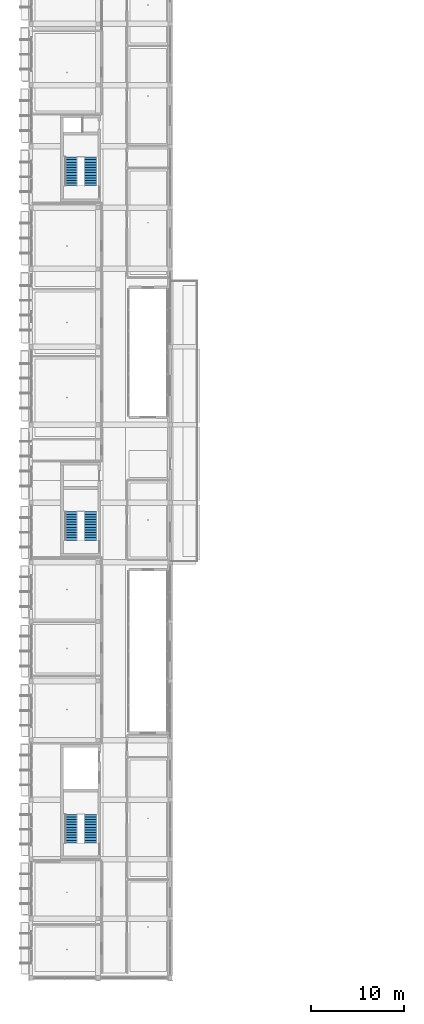
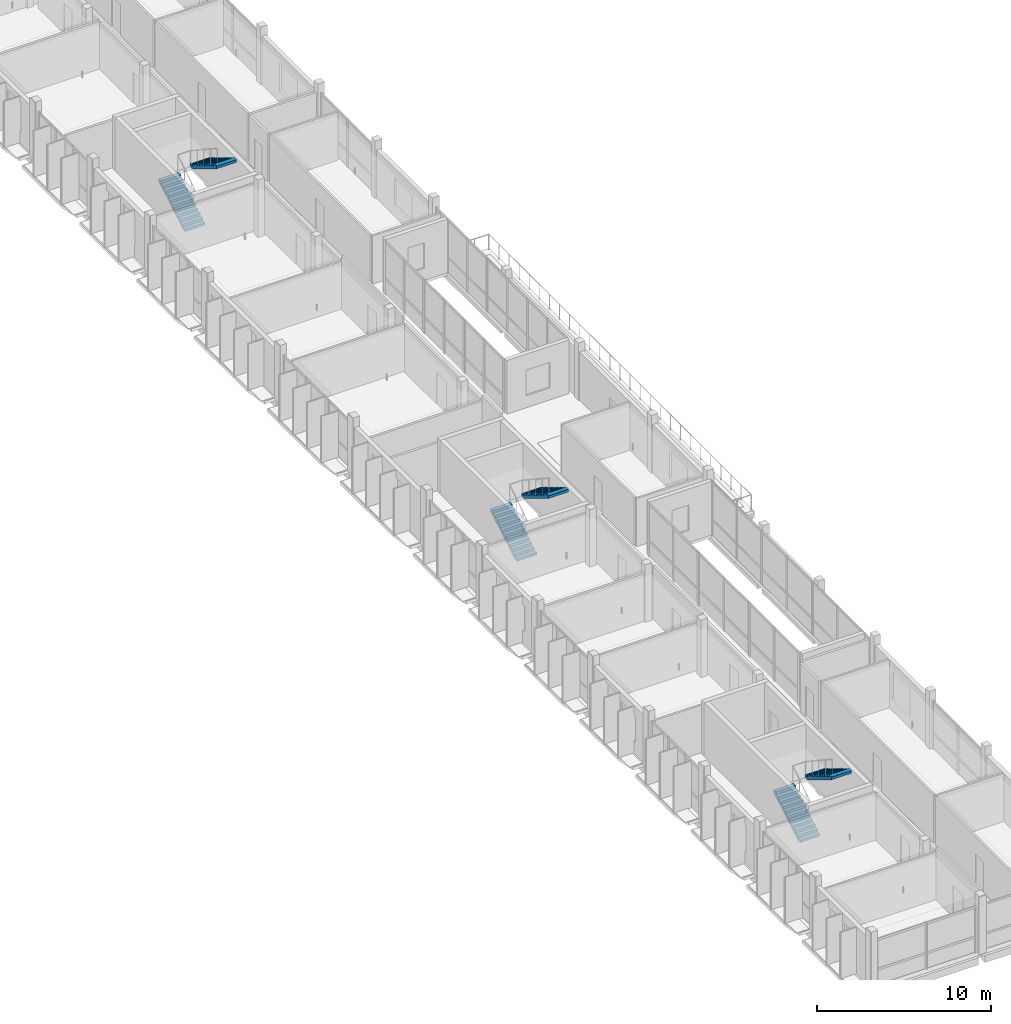
# One storey, part 29 of 48: 6 stair flights, 3 elements without a shape of their own.
"""IFC4 building model written with IfcOpenShell, lengths in metres."""

from ifc_helpers import new_model, si_unit, derived_unit, direction, frame, origin, place, context, subcontext, project, spatial, polyline, outline, extrude, material, type_object, element, aggregate, save


model = new_model("IFC4")

# Units and contexts
model_context = context("Model", 3, precision=1e-05, world=origin(), true_north=direction((0.0, 1.0)))
body_context = subcontext(model_context, "Body", "Model", "MODEL_VIEW")
ifc_project = project(units=[si_unit("LENGTHUNIT", "METRE"), si_unit("AREAUNIT", "SQUARE_METRE"), si_unit("VOLUMEUNIT", "CUBIC_METRE"), si_unit("PLANEANGLEUNIT", "RADIAN"), si_unit("MASSUNIT", "GRAM", prefix="KILO"), derived_unit("THERMALTRANSMITTANCEUNIT", [(si_unit("POWERUNIT", "WATT"), 1), (si_unit("LENGTHUNIT", "METRE"), -2), (si_unit("THERMODYNAMICTEMPERATUREUNIT", "KELVIN"), -1)])], contexts=[model_context])

# Site, building, storey
site_placement = place(None, origin())
site = spatial("IfcSite", under=ifc_project, at=site_placement, CompositionType="ELEMENT")
building_placement = place(site_placement, origin())
building = spatial("IfcBuilding", under=site, at=building_placement, Name="Braskholm Square Health Centre", CompositionType="ELEMENT")
storey_placement = place(building_placement, frame((0.0, 0.0, 17.550048828125)))
storey = spatial("IfcBuildingStorey", under=building, at=storey_placement, Name="L05", CompositionType="ELEMENT", Elevation=17.550048828125)

# Stair, stair flights
ifc_material = material(Name="Concrete C35/45 (f'c = 35 MPa)", Category="concrete")
stair_type = type_object("IfcStairType", Name="ExitReturnStairL04", PredefinedType="HALF_TURN_STAIR", material=ifc_material)
stair_1_placement = place(storey_placement, origin())
stair_1 = element("IfcStair", 1, at=stair_1_placement, inside=storey, type_object=stair_type, Name="Enclosed exit stair ST-01 L05 to L06", PredefinedType="HALF_TURN_STAIR")
stair_flight_type = type_object("IfcStairFlightType", Name="ExitStairFlightL04", PredefinedType="STRAIGHT", material=ifc_material)
stair_flight_1_placement = place(storey_placement, frame((8.510009765625, 18.760009765625, 0.0), z_axis=(0.0, 0.0, 1.0), x_axis=(0.0, 1.0, 0.0)))
stair_flight_1 = element("IfcStairFlight", 2, at=stair_flight_1_placement, type_object=stair_flight_type, Name="Stair ST-01 lower flight L05", NumberOfRisers=12, NumberOfTreads=11, PredefinedType="STRAIGHT", RiserHeight=0.16875, TreadLength=0.28, context=body_context, shape_type="SweptSolid", body=[
    extrude(outline(polyline([(0.0, 0.0), (0.0, 0.168701171875), (0.280029296875, 0.168701171875), (0.280029296875, 0.33740234375), (0.56005859375, 0.33740234375), (0.56005859375, 0.50634765625), (0.840087890625, 0.50634765625), (0.840087890625, 0.675048828125), (1.1201171875, 0.675048828125), (1.1201171875, 0.84375), (1.39990234375, 0.84375), (1.39990234375, 1.012451171875), (1.679931640625, 1.012451171875), (1.679931640625, 1.18115234375), (1.9599609375, 1.18115234375), (1.9599609375, 1.35009765625), (2.239990234375, 1.35009765625), (2.239990234375, 1.518798828125), (2.52001953125, 1.518798828125), (2.52001953125, 1.6875), (2.800048828125, 1.6875), (2.800048828125, 1.856201171875), (3.080078125, 1.856201171875), (3.080078125, 2.02490234375), (3.080078125, 1.66943359375), (0.309814453125, 0.0), (0.0, 0.0)])), frame((0.0, 0.66015625, 0.0), z_axis=(0.0, -1.0, 0.0), x_axis=(1.0, 0.0, 0.0)), (0.0, 0.0, 1.0), 1.320068359375),
])
stair_flight_2_placement = place(storey_placement, frame((10.590087890625, 21.840087890625, 2.02490234375), z_axis=(0.0, 0.0, 1.0), x_axis=(0.0, -1.0, 0.0)))
stair_flight_2 = element("IfcStairFlight", 3, at=stair_flight_2_placement, type_object=stair_flight_type, Name="Stair ST-01 upper flight L05", NumberOfRisers=12, NumberOfTreads=11, PredefinedType="STRAIGHT", RiserHeight=0.16875, TreadLength=0.28, context=body_context, shape_type="SweptSolid", body=[
    extrude(outline(polyline([(0.0, 0.0), (0.0, 0.168701171875), (0.280029296875, 0.168701171875), (0.280029296875, 0.33740234375), (0.56005859375, 0.33740234375), (0.56005859375, 0.50634765625), (0.840087890625, 0.50634765625), (0.840087890625, 0.675048828125), (1.1201171875, 0.675048828125), (1.1201171875, 0.84375), (1.39990234375, 0.84375), (1.39990234375, 1.012451171875), (1.679931640625, 1.012451171875), (1.679931640625, 1.18115234375), (1.9599609375, 1.18115234375), (1.9599609375, 1.35009765625), (2.239990234375, 1.35009765625), (2.239990234375, 1.518798828125), (2.52001953125, 1.518798828125), (2.52001953125, 1.6875), (2.800048828125, 1.6875), (2.800048828125, 1.856201171875), (3.080078125, 1.856201171875), (3.080078125, 2.02490234375), (3.080078125, 1.66943359375), (0.309814453125, 0.0), (0.0, 0.0)])), frame((0.0, 0.66015625, 0.0), z_axis=(0.0, -1.0, 0.0), x_axis=(1.0, 0.0, 0.0)), (0.0, 0.0, 1.0), 1.320068359375),
])
aggregate(stair_1, [stair_flight_1, stair_flight_2])

stair_2_placement = place(storey_placement, origin())
stair_2 = element("IfcStair", 4, at=stair_2_placement, inside=storey, type_object=stair_type, Name="Enclosed exit stair ST-02 L05 to L06", PredefinedType="HALF_TURN_STAIR")
stair_flight_3_placement = place(storey_placement, frame((8.510009765625, 51.360107421875, 0.0), z_axis=(0.0, 0.0, 1.0), x_axis=(0.0, 1.0, 0.0)))
stair_flight_3 = element("IfcStairFlight", 5, at=stair_flight_3_placement, type_object=stair_flight_type, Name="Stair ST-02 lower flight L05", NumberOfRisers=12, NumberOfTreads=11, PredefinedType="STRAIGHT", RiserHeight=0.16875, TreadLength=0.28, context=body_context, shape_type="SweptSolid", body=[
    extrude(outline(polyline([(0.0, 0.0), (0.0, 0.168701171875), (0.280029296875, 0.168701171875), (0.280029296875, 0.33740234375), (0.56005859375, 0.33740234375), (0.56005859375, 0.50634765625), (0.840087890625, 0.50634765625), (0.840087890625, 0.675048828125), (1.1201171875, 0.675048828125), (1.1201171875, 0.84375), (1.39990234375, 0.84375), (1.39990234375, 1.012451171875), (1.679931640625, 1.012451171875), (1.679931640625, 1.18115234375), (1.9599609375, 1.18115234375), (1.9599609375, 1.35009765625), (2.239990234375, 1.35009765625), (2.239990234375, 1.518798828125), (2.52001953125, 1.518798828125), (2.52001953125, 1.6875), (2.800048828125, 1.6875), (2.800048828125, 1.856201171875), (3.080078125, 1.856201171875), (3.080078125, 2.02490234375), (3.080078125, 1.66943359375), (0.309814453125, 0.0), (0.0, 0.0)])), frame((0.0, 0.66015625, 0.0), z_axis=(0.0, -1.0, 0.0), x_axis=(1.0, 0.0, 0.0)), (0.0, 0.0, 1.0), 1.320068359375),
])
stair_flight_4_placement = place(storey_placement, frame((10.590087890625, 54.43994140625, 2.02490234375), z_axis=(0.0, 0.0, 1.0), x_axis=(0.0, -1.0, 0.0)))
stair_flight_4 = element("IfcStairFlight", 6, at=stair_flight_4_placement, type_object=stair_flight_type, Name="Stair ST-02 upper flight L05", NumberOfRisers=12, NumberOfTreads=11, PredefinedType="STRAIGHT", RiserHeight=0.16875, TreadLength=0.28, context=body_context, shape_type="SweptSolid", body=[
    extrude(outline(polyline([(0.0, 0.0), (0.0, 0.168701171875), (0.280029296875, 0.168701171875), (0.280029296875, 0.33740234375), (0.56005859375, 0.33740234375), (0.56005859375, 0.50634765625), (0.840087890625, 0.50634765625), (0.840087890625, 0.675048828125), (1.1201171875, 0.675048828125), (1.1201171875, 0.84375), (1.39990234375, 0.84375), (1.39990234375, 1.012451171875), (1.679931640625, 1.012451171875), (1.679931640625, 1.18115234375), (1.9599609375, 1.18115234375), (1.9599609375, 1.35009765625), (2.239990234375, 1.35009765625), (2.239990234375, 1.518798828125), (2.52001953125, 1.518798828125), (2.52001953125, 1.6875), (2.800048828125, 1.6875), (2.800048828125, 1.856201171875), (3.080078125, 1.856201171875), (3.080078125, 2.02490234375), (3.080078125, 1.66943359375), (0.309814453125, 0.0), (0.0, 0.0)])), frame((0.0, 0.66015625, 0.0), z_axis=(0.0, -1.0, 0.0), x_axis=(1.0, 0.0, 0.0)), (0.0, 0.0, 1.0), 1.320068359375),
])
aggregate(stair_2, [stair_flight_3, stair_flight_4])

stair_3_placement = place(storey_placement, origin())
stair_3 = element("IfcStair", 7, at=stair_3_placement, inside=storey, type_object=stair_type, Name="Enclosed exit stair ST-03 L05 to L06", PredefinedType="HALF_TURN_STAIR")
stair_flight_5_placement = place(storey_placement, frame((8.510009765625, 89.56005859375, 0.0), z_axis=(0.0, 0.0, 1.0), x_axis=(0.0, 1.0, 0.0)))
stair_flight_5 = element("IfcStairFlight", 8, at=stair_flight_5_placement, type_object=stair_flight_type, Name="Stair ST-03 lower flight L05", NumberOfRisers=12, NumberOfTreads=11, PredefinedType="STRAIGHT", RiserHeight=0.16875, TreadLength=0.28, context=body_context, shape_type="SweptSolid", body=[
    extrude(outline(polyline([(0.0, 0.0), (0.0, 0.168701171875), (0.280029296875, 0.168701171875), (0.280029296875, 0.33740234375), (0.56005859375, 0.33740234375), (0.56005859375, 0.50634765625), (0.840087890625, 0.50634765625), (0.840087890625, 0.675048828125), (1.1201171875, 0.675048828125), (1.1201171875, 0.84375), (1.39990234375, 0.84375), (1.39990234375, 1.012451171875), (1.679931640625, 1.012451171875), (1.679931640625, 1.18115234375), (1.9599609375, 1.18115234375), (1.9599609375, 1.35009765625), (2.239990234375, 1.35009765625), (2.239990234375, 1.518798828125), (2.52001953125, 1.518798828125), (2.52001953125, 1.6875), (2.800048828125, 1.6875), (2.800048828125, 1.856201171875), (3.080078125, 1.856201171875), (3.080078125, 2.02490234375), (3.080078125, 1.66943359375), (0.309814453125, 0.0), (0.0, 0.0)])), frame((0.0, 0.66015625, 0.0), z_axis=(0.0, -1.0, 0.0), x_axis=(1.0, 0.0, 0.0)), (0.0, 0.0, 1.0), 1.320068359375),
])
stair_flight_6_placement = place(storey_placement, frame((10.590087890625, 92.639892578125, 2.02490234375), z_axis=(0.0, 0.0, 1.0), x_axis=(0.0, -1.0, 0.0)))
stair_flight_6 = element("IfcStairFlight", 9, at=stair_flight_6_placement, type_object=stair_flight_type, Name="Stair ST-03 upper flight L05", NumberOfRisers=12, NumberOfTreads=11, PredefinedType="STRAIGHT", RiserHeight=0.16875, TreadLength=0.28, context=body_context, shape_type="SweptSolid", body=[
    extrude(outline(polyline([(0.0, 0.0), (0.0, 0.168701171875), (0.280029296875, 0.168701171875), (0.280029296875, 0.33740234375), (0.56005859375, 0.33740234375), (0.56005859375, 0.50634765625), (0.840087890625, 0.50634765625), (0.840087890625, 0.675048828125), (1.1201171875, 0.675048828125), (1.1201171875, 0.84375), (1.39990234375, 0.84375), (1.39990234375, 1.012451171875), (1.679931640625, 1.012451171875), (1.679931640625, 1.18115234375), (1.9599609375, 1.18115234375), (1.9599609375, 1.35009765625), (2.239990234375, 1.35009765625), (2.239990234375, 1.518798828125), (2.52001953125, 1.518798828125), (2.52001953125, 1.6875), (2.800048828125, 1.6875), (2.800048828125, 1.856201171875), (3.080078125, 1.856201171875), (3.080078125, 2.02490234375), (3.080078125, 1.66943359375), (0.309814453125, 0.0), (0.0, 0.0)])), frame((0.0, 0.66015625, 0.0), z_axis=(0.0, -1.0, 0.0), x_axis=(1.0, 0.0, 0.0)), (0.0, 0.0, 1.0), 1.320068359375),
])
aggregate(stair_3, [stair_flight_5, stair_flight_6])

save(model, "model.ifc")
